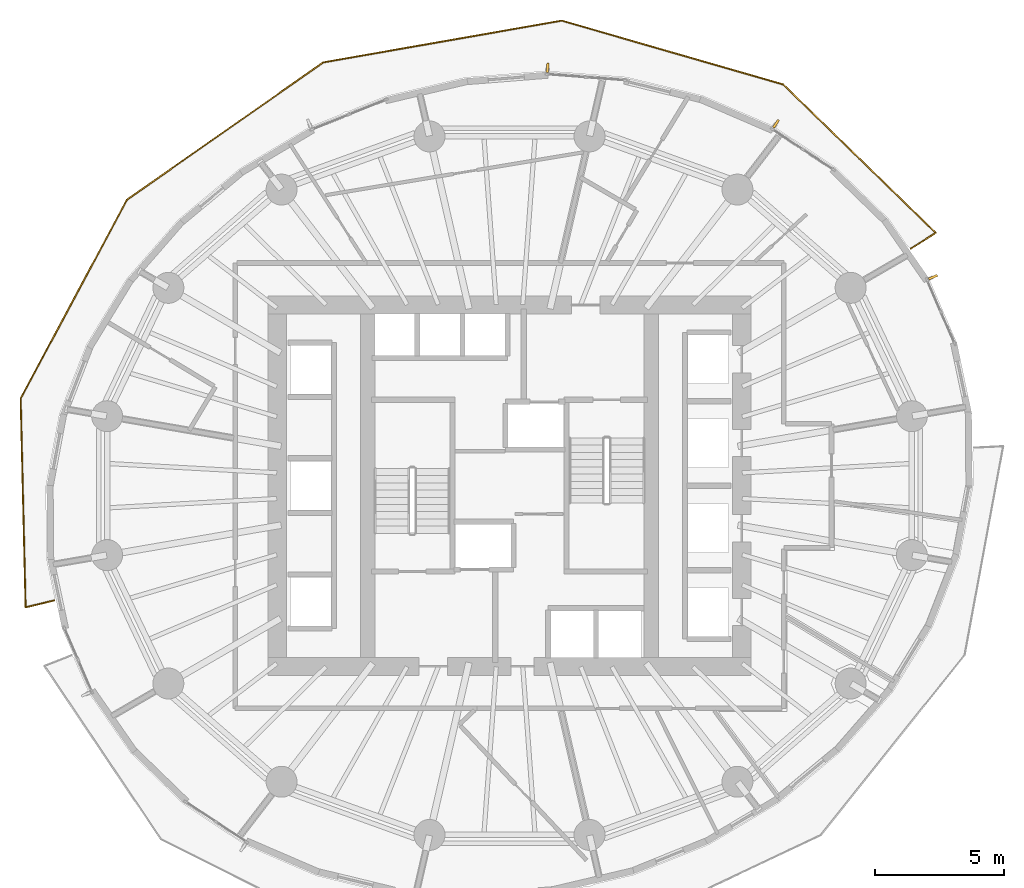
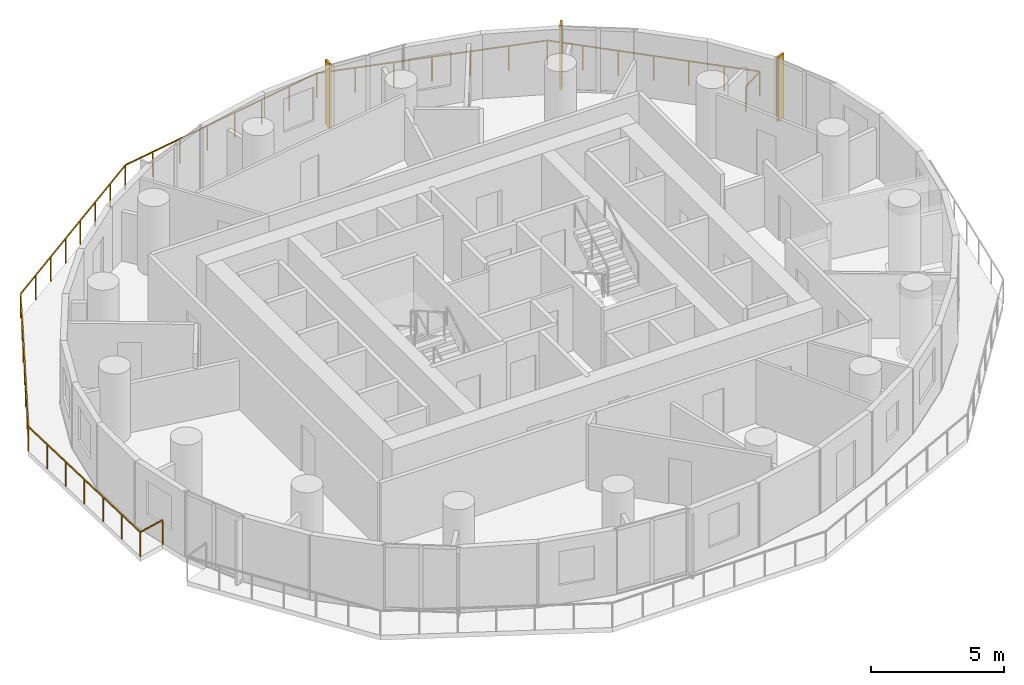
# One storey, part 14 of 14: 3 shading devices, 1 railing.
"""IFC4 building model written with IfcOpenShell, lengths in metres."""

from ifc_helpers import new_model, si_unit, direction, frame, origin, origin_2d, place, context, subcontext, project, spatial, rectangle, extrude, material, layer, layer_set, type_object, element, save


model = new_model("IFC4")

# Units and contexts
model_context = context("Model", 3, precision=1e-05, world=origin(), true_north=direction((0.0, 1.0)))
body_context = subcontext(model_context, "Body", "Model", "MODEL_VIEW")
ifc_project = project(units=[si_unit("LENGTHUNIT", "METRE"), si_unit("AREAUNIT", "SQUARE_METRE"), si_unit("VOLUMEUNIT", "CUBIC_METRE"), si_unit("PLANEANGLEUNIT", "RADIAN"), si_unit("MASSUNIT", "GRAM", prefix="KILO")], contexts=[model_context])

# Site, building, storey
site_placement = place(None, origin())
site = spatial("IfcSite", under=ifc_project, at=site_placement, CompositionType="ELEMENT")
building_placement = place(site_placement, origin())
building = spatial("IfcBuilding", under=site, at=building_placement, Name="Veldorim Arch Residences", CompositionType="ELEMENT")
storey_placement = place(building_placement, frame((0.0, 0.0, 74.080078125)))
storey = spatial("IfcBuildingStorey", under=building, at=storey_placement, Name="L21", CompositionType="ELEMENT", Elevation=74.080078125)

# Railing
ifc_material_1 = material(Name="Aluminium", Category="aluminium")
railing_type = type_object("IfcRailingType", Name="Balcony & Terrace Laminated Glass Balustrade 1150", PredefinedType="BALUSTRADE", material=ifc_material_1)
railing_placement = place(storey_placement, frame((47.544677734375, 33.18017578125, 0.0)))
element("IfcRailing", 1, at=railing_placement, inside=storey, type_object=railing_type, Name="L21 crescent balcony safety balustrade A", PredefinedType="BALUSTRADE", context=body_context, shape_type="SweptSolid", body=[
    extrude(rectangle(XDim=0.048095703125, YDim=0.048095703125, at=origin_2d()), frame((0.0, 0.0, 1.1259765625), z_axis=(0.843906173426, 0.536490792515, 0.0), x_axis=(-0.536490792515, 0.843906173426, 0.0)), (0.0, 0.0, 1.0), 1.14990234375),
    extrude(rectangle(XDim=0.048095703125, YDim=0.048095703125, at=origin_2d()), frame((0.970458984375, 0.616943359375, 1.1259765625), z_axis=(-0.716218195239, 0.697876419439, 0.0), x_axis=(-0.697876419439, -0.716218195239, 0.0)), (0.0, 0.0, 1.0), 8.2392578125),
    extrude(rectangle(XDim=0.048095703125, YDim=0.048095703125, at=origin_2d()), frame((-4.9306640625, 6.366943359375, 1.1259765625), z_axis=(-0.960856316669, 0.277047177781, 0.0), x_axis=(-0.277047177781, -0.960856316669, 0.0)), (0.0, 0.0, 1.0), 8.938232421875),
    extrude(rectangle(XDim=0.048095703125, YDim=0.048095703125, at=origin_2d()), frame((-13.51904296875, 8.84326171875, 1.1259765625), z_axis=(-0.985013676891, -0.172476248621, 0.0), x_axis=(0.172476248621, -0.985013676891, 0.0)), (0.0, 0.0, 1.0), 9.384765625),
    extrude(rectangle(XDim=0.048095703125, YDim=0.048095703125, at=origin_2d()), frame((-22.76318359375, 7.224609375, 1.1259765625), z_axis=(-0.819325707742, -0.57332833929, 0.0), x_axis=(0.57332833929, -0.819325707742, 0.0)), (0.0, 0.0, 1.0), 9.293212890625),
    extrude(rectangle(XDim=0.048095703125, YDim=0.048095703125, at=origin_2d()), frame((-30.37744140625, 1.896484375, 1.1259765625), z_axis=(-0.471027828297, -0.882118350886, 0.0), x_axis=(0.882118350886, -0.471027828297, 0.0)), (0.0, 0.0, 1.0), 8.733154296875),
    extrude(rectangle(XDim=0.048095703125, YDim=0.048095703125, at=origin_2d()), frame((-34.490966796875, -5.80712890625, 1.1259765625), z_axis=(0.023654874887, -0.999720184299, 0.0), x_axis=(0.999720184299, 0.023654874887, 0.0)), (0.0, 0.0, 1.0), 8.091552734375),
    extrude(rectangle(XDim=0.048095703125, YDim=0.048095703125, at=origin_2d()), frame((-34.299560546875, -13.896484375, 1.1259765625), z_axis=(0.971889862768, 0.235435967193, 0.0), x_axis=(-0.235435967193, 0.971889862768, 0.0)), (0.0, 0.0, 1.0), 1.14990234375),
    extrude(rectangle(XDim=0.0419921875, YDim=0.0419921875, at=origin_2d()), origin(), (0.0, 0.0, 1.0), 1.101806640625),
    extrude(rectangle(XDim=0.0419921875, YDim=0.0419921875, at=origin_2d()), frame((0.970458984375, 0.616943359375, 0.0)), (0.0, 0.0, 1.0), 1.101806640625),
    extrude(rectangle(XDim=0.0419921875, YDim=0.0419921875, at=origin_2d()), frame((-0.01318359375, 1.5751953125, 0.0)), (0.0, 0.0, 1.0), 1.101806640625),
    extrude(rectangle(XDim=0.0419921875, YDim=0.0419921875, at=origin_2d()), frame((-0.99658203125, 2.53369140625, 0.0)), (0.0, 0.0, 1.0), 1.101806640625),
    extrude(rectangle(XDim=0.0419921875, YDim=0.0419921875, at=origin_2d()), frame((-1.97998046875, 3.491943359375, 0.0)), (0.0, 0.0, 1.0), 1.101806640625),
    extrude(rectangle(XDim=0.0419921875, YDim=0.0419921875, at=origin_2d()), frame((-2.963623046875, 4.4501953125, 0.0)), (0.0, 0.0, 1.0), 1.101806640625),
    extrude(rectangle(XDim=0.0419921875, YDim=0.0419921875, at=origin_2d()), frame((-3.947265625, 5.40869140625, 0.0)), (0.0, 0.0, 1.0), 1.101806640625),
    extrude(rectangle(XDim=0.0419921875, YDim=0.0419921875, at=origin_2d()), frame((-4.9306640625, 6.366943359375, 0.0)), (0.0, 0.0, 1.0), 1.101806640625),
    extrude(rectangle(XDim=0.0419921875, YDim=0.0419921875, at=origin_2d()), frame((-6.362060546875, 6.77978515625, 0.0)), (0.0, 0.0, 1.0), 1.101806640625),
    extrude(rectangle(XDim=0.0419921875, YDim=0.0419921875, at=origin_2d()), frame((-7.79345703125, 7.1923828125, 0.0)), (0.0, 0.0, 1.0), 1.101806640625),
    extrude(rectangle(XDim=0.0419921875, YDim=0.0419921875, at=origin_2d()), frame((-9.224853515625, 7.60498046875, 0.0)), (0.0, 0.0, 1.0), 1.101806640625),
    extrude(rectangle(XDim=0.0419921875, YDim=0.0419921875, at=origin_2d()), frame((-10.65625, 8.017822265625, 0.0)), (0.0, 0.0, 1.0), 1.101806640625),
    extrude(rectangle(XDim=0.0419921875, YDim=0.0419921875, at=origin_2d()), frame((-12.087646484375, 8.4306640625, 0.0)), (0.0, 0.0, 1.0), 1.101806640625),
    extrude(rectangle(XDim=0.0419921875, YDim=0.0419921875, at=origin_2d()), frame((-13.51904296875, 8.84326171875, 0.0)), (0.0, 0.0, 1.0), 1.101806640625),
    extrude(rectangle(XDim=0.0419921875, YDim=0.0419921875, at=origin_2d()), frame((-14.839599609375, 8.612060546875, 0.0)), (0.0, 0.0, 1.0), 1.101806640625),
    extrude(rectangle(XDim=0.0419921875, YDim=0.0419921875, at=origin_2d()), frame((-16.16015625, 8.380859375, 0.0)), (0.0, 0.0, 1.0), 1.101806640625),
    extrude(rectangle(XDim=0.0419921875, YDim=0.0419921875, at=origin_2d()), frame((-17.480712890625, 8.149658203125, 0.0)), (0.0, 0.0, 1.0), 1.101806640625),
    extrude(rectangle(XDim=0.0419921875, YDim=0.0419921875, at=origin_2d()), frame((-18.801513671875, 7.918212890625, 0.0)), (0.0, 0.0, 1.0), 1.101806640625),
    extrude(rectangle(XDim=0.0419921875, YDim=0.0419921875, at=origin_2d()), frame((-20.1220703125, 7.68701171875, 0.0)), (0.0, 0.0, 1.0), 1.101806640625),
    extrude(rectangle(XDim=0.0419921875, YDim=0.0419921875, at=origin_2d()), frame((-21.442626953125, 7.455810546875, 0.0)), (0.0, 0.0, 1.0), 1.101806640625),
    extrude(rectangle(XDim=0.0419921875, YDim=0.0419921875, at=origin_2d()), frame((-22.76318359375, 7.224609375, 0.0)), (0.0, 0.0, 1.0), 1.101806640625),
    extrude(rectangle(XDim=0.0419921875, YDim=0.0419921875, at=origin_2d()), frame((-23.850830078125, 6.46337890625, 0.0)), (0.0, 0.0, 1.0), 1.101806640625),
    extrude(rectangle(XDim=0.0419921875, YDim=0.0419921875, at=origin_2d()), frame((-24.938720703125, 5.702392578125, 0.0)), (0.0, 0.0, 1.0), 1.101806640625),
    extrude(rectangle(XDim=0.0419921875, YDim=0.0419921875, at=origin_2d()), frame((-26.0263671875, 4.941162109375, 0.0)), (0.0, 0.0, 1.0), 1.101806640625),
    extrude(rectangle(XDim=0.0419921875, YDim=0.0419921875, at=origin_2d()), frame((-27.1142578125, 4.179931640625, 0.0)), (0.0, 0.0, 1.0), 1.101806640625),
    extrude(rectangle(XDim=0.0419921875, YDim=0.0419921875, at=origin_2d()), frame((-28.201904296875, 3.418701171875, 0.0)), (0.0, 0.0, 1.0), 1.101806640625),
    extrude(rectangle(XDim=0.0419921875, YDim=0.0419921875, at=origin_2d()), frame((-29.289794921875, 2.65771484375, 0.0)), (0.0, 0.0, 1.0), 1.101806640625),
    extrude(rectangle(XDim=0.0419921875, YDim=0.0419921875, at=origin_2d()), frame((-30.37744140625, 1.896484375, 0.0)), (0.0, 0.0, 1.0), 1.101806640625),
    extrude(rectangle(XDim=0.0419921875, YDim=0.0419921875, at=origin_2d()), frame((-31.06298828125, 0.612548828125, 0.0)), (0.0, 0.0, 1.0), 1.101806640625),
    extrude(rectangle(XDim=0.0419921875, YDim=0.0419921875, at=origin_2d()), frame((-31.74853515625, -0.67138671875, 0.0)), (0.0, 0.0, 1.0), 1.101806640625),
    extrude(rectangle(XDim=0.0419921875, YDim=0.0419921875, at=origin_2d()), frame((-32.43408203125, -1.955322265625, 0.0)), (0.0, 0.0, 1.0), 1.101806640625),
    extrude(rectangle(XDim=0.0419921875, YDim=0.0419921875, at=origin_2d()), frame((-33.119873046875, -3.2392578125, 0.0)), (0.0, 0.0, 1.0), 1.101806640625),
    extrude(rectangle(XDim=0.0419921875, YDim=0.0419921875, at=origin_2d()), frame((-33.805419921875, -4.523193359375, 0.0)), (0.0, 0.0, 1.0), 1.101806640625),
    extrude(rectangle(XDim=0.0419921875, YDim=0.0419921875, at=origin_2d()), frame((-34.490966796875, -5.80712890625, 0.0)), (0.0, 0.0, 1.0), 1.101806640625),
    extrude(rectangle(XDim=0.0419921875, YDim=0.0419921875, at=origin_2d()), frame((-34.458984375, -7.1552734375, 0.0)), (0.0, 0.0, 1.0), 1.101806640625),
    extrude(rectangle(XDim=0.0419921875, YDim=0.0419921875, at=origin_2d()), frame((-34.42724609375, -8.503662109375, 0.0)), (0.0, 0.0, 1.0), 1.101806640625),
    extrude(rectangle(XDim=0.0419921875, YDim=0.0419921875, at=origin_2d()), frame((-34.395263671875, -9.851806640625, 0.0)), (0.0, 0.0, 1.0), 1.101806640625),
    extrude(rectangle(XDim=0.0419921875, YDim=0.0419921875, at=origin_2d()), frame((-34.36328125, -11.199951171875, 0.0)), (0.0, 0.0, 1.0), 1.101806640625),
    extrude(rectangle(XDim=0.0419921875, YDim=0.0419921875, at=origin_2d()), frame((-34.33154296875, -12.54833984375, 0.0)), (0.0, 0.0, 1.0), 1.101806640625),
    extrude(rectangle(XDim=0.0419921875, YDim=0.0419921875, at=origin_2d()), frame((-34.299560546875, -13.896484375, 0.0)), (0.0, 0.0, 1.0), 1.101806640625),
    extrude(rectangle(XDim=0.0419921875, YDim=0.0419921875, at=origin_2d()), frame((-33.181884765625, -13.625732421875, 0.0)), (0.0, 0.0, 1.0), 1.101806640625),
])

# Shading devices
ifc_material_2 = material(Name="Terracotta Ceramic", Category="masonry")
ifc_layer = layer(ifc_material_2, 0.090087890625, Name="Vertical Extruded Terracotta Baguette Sun-Shading Fin")
ifc_layer_set = layer_set([ifc_layer], Name="Terracotta Ceramic")
shading_device_type = type_object("IfcShadingDeviceType", Name="Vertical Extruded Terracotta Baguette Sun-Shading Fin", PredefinedType="USERDEFINED", material=ifc_layer_set)
for number, where, z_axis, x_axis, name in (
    (2, (48.416015625, 32.082763671875, 0.0), (0.0, 0.0, 1.0), (0.396987706187, -0.917823927089, 0.0), "L21 vertical terracotta sun-shading fin 01"),
    (3, (42.328369140625, 38.025146484375, 0.0), (0.0, 0.0, 1.0), (0.834174701276, -0.551500288078, 0.0), "L21 vertical terracotta sun-shading fin 04"),
    (4, (33.478271484375, 40.19970703125, 0.0), (0.0, 0.0, 1.0), (0.997052752227, -0.076719028127, 0.0), "L21 vertical terracotta sun-shading fin 07"),
):
    element("IfcShadingDevice", number, at=place(storey_placement, frame(where, z_axis=z_axis, x_axis=x_axis)), inside=storey, type_object=shading_device_type, Name=name, ObjectType="FIN", PredefinedType="USERDEFINED", context=body_context, shape_type="SweptSolid", body=[
        extrude(rectangle(XDim=0.090087890625, YDim=0.360107421875, at=origin_2d()), origin(), (0.0, 0.0, 1.0), 2.9599609375),
    ])

save(model, "model.ifc")
